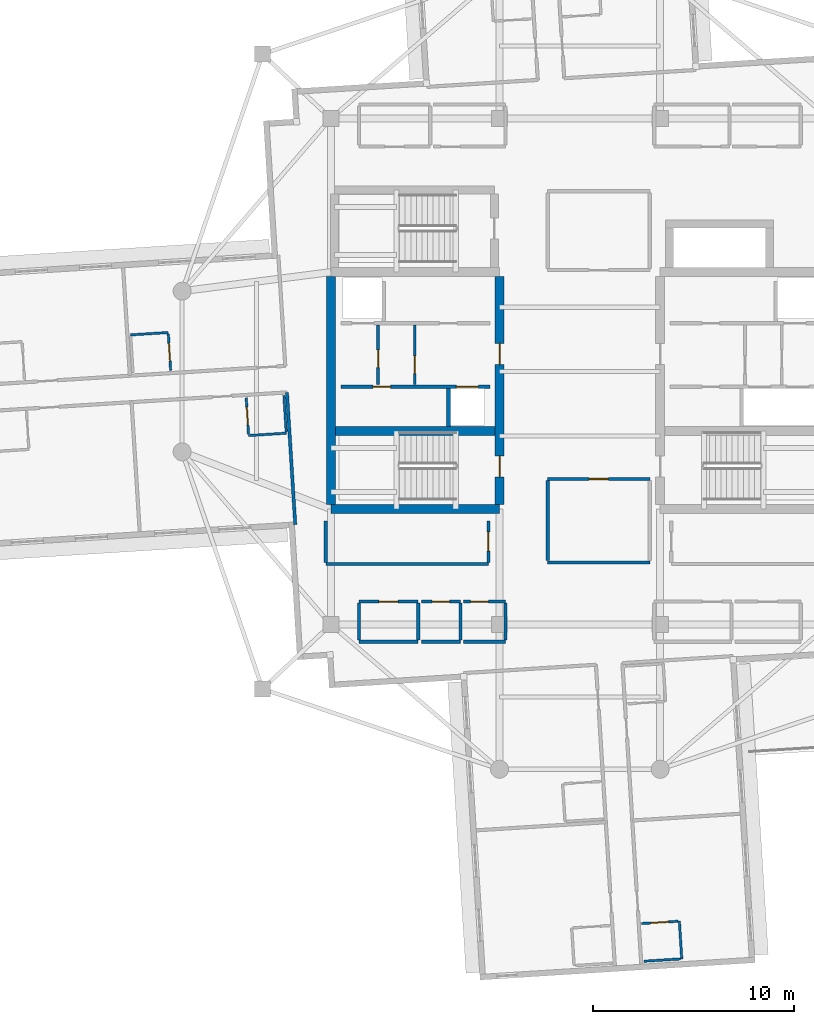
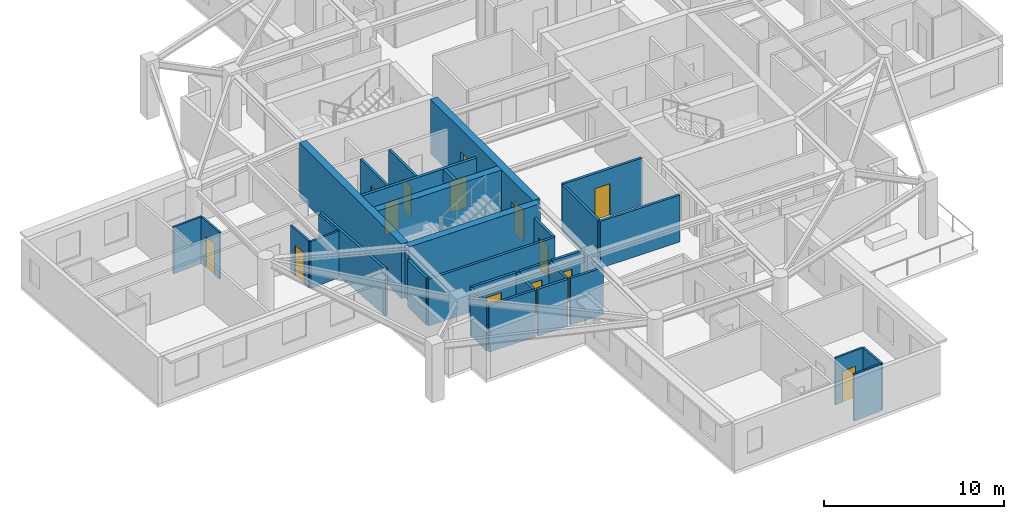
# One storey, part 4 of 13: 33 walls, 14 doors, 14 openings.
"""IFC4 building model written with IfcOpenShell, lengths in metres."""

from ifc_helpers import new_model, si_unit, direction, frame, frame_2d, origin, place, context, subcontext, project, spatial, rectangle, extrude, material, layer, layer_set, type_object, element, fill, save


model = new_model("IFC4")

# Units and contexts
model_context = context("Model", 3, precision=1e-05, world=origin(), true_north=direction((0.0, 1.0)))
body_context = subcontext(model_context, "Body", "Model", "MODEL_VIEW")
ifc_project = project(units=[si_unit("LENGTHUNIT", "METRE"), si_unit("AREAUNIT", "SQUARE_METRE"), si_unit("VOLUMEUNIT", "CUBIC_METRE"), si_unit("PLANEANGLEUNIT", "RADIAN"), si_unit("MASSUNIT", "GRAM", prefix="KILO")], contexts=[model_context])

# Site, building, storey
site_placement = place(None, origin())
site = spatial("IfcSite", under=ifc_project, at=site_placement, CompositionType="ELEMENT")
building_placement = place(site_placement, origin())
building = spatial("IfcBuilding", under=site, at=building_placement, Name="Qingluan Cross Belvedere", CompositionType="ELEMENT")
storey_placement = place(building_placement, frame((0.0, 0.0, 281.10009765625)))
storey = spatial("IfcBuildingStorey", under=building, at=storey_placement, Name="L70", CompositionType="ELEMENT", Elevation=281.10009765625)

# Walls
ifc_material_1 = material(Name="Concrete C50", Category="concrete")
ifc_layer_1 = layer(ifc_material_1, 0.449951171875, Name="CoreShearWall_450")
ifc_layer_set_1 = layer_set([ifc_layer_1], Name="Concrete C50")
wall_type_1 = type_object("IfcWallType", Name="CoreShearWall_450", PredefinedType="SHEAR", material=ifc_layer_set_1)
wall_1_placement = place(storey_placement, frame((-12.39990234375, -6.85009765625, 0.0), z_axis=(0.0, 0.0, 1.0), x_axis=(1.0, 0.0, 0.0)))
element("IfcWall", 1, at=wall_1_placement, inside=storey, type_object=wall_type_1, Name="Split core W shear wall L70-S", PredefinedType="SHEAR", context=body_context, shape_type="SweptSolid", body=[
    extrude(rectangle(XDim=8.39990234375, YDim=0.449951171875, at=frame_2d((4.199951171875, 0.0))), origin(), (0.0, 0.0, 1.0), 3.699951171875),
])
wall_2_placement = place(storey_placement, frame((-12.39990234375, -6.6201171875, 0.0), z_axis=(0.0, 0.0, 1.0), x_axis=(0.0, 1.0, 0.0)))
element("IfcWall", 2, at=wall_2_placement, inside=storey, type_object=wall_type_1, Name="Split core W shear wall L70-W", PredefinedType="SHEAR", context=body_context, shape_type="SweptSolid", body=[
    extrude(rectangle(XDim=11.340087890625, YDim=0.449951171875, at=frame_2d((5.669921875, 0.0))), origin(), (0.0, 0.0, 1.0), 3.699951171875),
])

# Wall, openings, doors
wall_3_placement = place(storey_placement, frame((-4.0, -6.6201171875, 0.0), z_axis=(0.0, 0.0, 1.0), x_axis=(0.0, 1.0, 0.0)))
wall_3 = element("IfcWall", 3, at=wall_3_placement, inside=storey, type_object=wall_type_1, Name="Split core W shear wall L70-E", PredefinedType="SHEAR", context=body_context, shape_type="SweptSolid", body=[
    extrude(rectangle(XDim=11.340087890625, YDim=0.449951171875, at=frame_2d((5.669921875, 0.0))), origin(), (0.0, 0.0, 1.0), 3.699951171875),
])
opening_1_placement = place(wall_3_placement, frame((1.3701171875, 0.0, 0.0)))
opening_1 = element("IfcOpeningElement", 4, at=opening_1_placement, cuts=wall_3, Name="Opening FD-B11", PredefinedType="OPENING", context=body_context, shape_type="SweptSolid", body=[
    extrude(rectangle(XDim=1.050048828125, YDim=2.14990234375, at=frame_2d((0.52490234375, 1.074951171875))), frame((0.0, 0.23486328125, 0.0), z_axis=(0.0, -1.0, 0.0), x_axis=(1.0, 0.0, 0.0)), (0.0, 0.0, 1.0), 0.469970703125),
])
opening_2_placement = place(wall_3_placement, frame((6.969970703125, 0.0, 0.0)))
opening_2 = element("IfcOpeningElement", 5, at=opening_2_placement, cuts=wall_3, Name="Opening FD-B11", PredefinedType="OPENING", context=body_context, shape_type="SweptSolid", body=[
    extrude(rectangle(XDim=1.050048828125, YDim=2.14990234375, at=frame_2d((0.52490234375, 1.074951171875))), frame((0.0, 0.23486328125, 0.0), z_axis=(0.0, -1.0, 0.0), x_axis=(1.0, 0.0, 0.0)), (0.0, 0.0, 1.0), 0.469970703125),
])
ifc_material_2 = material(Name="Steel Class B smoke-seal fire door", Category="steel")
door_type_1 = type_object("IfcDoorType", Name="StairLobbyFireDoor_FDB", OperationType="NOTDEFINED", PredefinedType="DOOR", material=ifc_material_2)
door_1_placement = place(opening_1_placement, origin())
door_1 = element("IfcDoor", 6, at=door_1_placement, inside=storey, type_object=door_type_1, Name="Smoke-proof stair ST1 fire door L70", OperationType="SINGLE_SWING_RIGHT", OverallHeight=2.14990234375, OverallWidth=1.050048828125, PredefinedType="DOOR", context=body_context, shape_type="SweptSolid", body=[
    extrude(rectangle(XDim=1.050048828125, YDim=2.14990234375, at=frame_2d((0.52490234375, 1.074951171875))), frame((0.0, 0.02490234375, 0.0), z_axis=(0.0, -1.0, 0.0), x_axis=(1.0, 0.0, 0.0)), (0.0, 0.0, 1.0), 0.050048828125),
])
fill(opening_1, door_1)
door_2_placement = place(opening_2_placement, origin())
door_2 = element("IfcDoor", 7, at=door_2_placement, inside=storey, type_object=door_type_1, Name="Firefighting lobby West fire door L70", OperationType="SINGLE_SWING_RIGHT", OverallHeight=2.14990234375, OverallWidth=1.050048828125, PredefinedType="DOOR", context=body_context, shape_type="SweptSolid", body=[
    extrude(rectangle(XDim=1.050048828125, YDim=2.14990234375, at=frame_2d((0.52490234375, 1.074951171875))), frame((0.0, 0.02490234375, 0.0), z_axis=(0.0, -1.0, 0.0), x_axis=(1.0, 0.0, 0.0)), (0.0, 0.0, 1.0), 0.050048828125),
])
fill(opening_2, door_2)

# Wall
wall_4_placement = place(storey_placement, frame((-12.169921875, -2.9599609375, 0.0), z_axis=(0.0, 0.0, 1.0), x_axis=(1.0, 0.0, 0.0)))
element("IfcWall", 8, at=wall_4_placement, inside=storey, type_object=wall_type_1, Name="Split core W shear wall L70-M", PredefinedType="SHEAR", context=body_context, shape_type="SweptSolid", body=[
    extrude(rectangle(XDim=7.93994140625, YDim=0.449951171875, at=frame_2d((3.969970703125, 0.0))), origin(), (0.0, 0.0, 1.0), 3.699951171875),
])

# Wall, opening, door
ifc_material_3 = material(Name="Gypsum plasterboard on steel stud acoustic partition", Category="steel")
ifc_layer_2 = layer(ifc_material_3, 0.159912109375, Name="CorridorPartition_160")
ifc_layer_set_2 = layer_set([ifc_layer_2], Name="Gypsum plasterboard on steel stud acoustic partition")
wall_type_2 = type_object("IfcWallType", Name="CorridorPartition_160", PredefinedType="PARTITIONING", material=ifc_layer_set_2)
wall_5_placement = place(storey_placement, frame((-10.050048828125, -0.652099609375, 0.0), z_axis=(0.0, 0.0, 1.0), x_axis=(0.0, 1.0, 0.0)))
wall_5 = element("IfcWall", 9, at=wall_5_placement, inside=storey, type_object=wall_type_2, Name="Partition L70:wv", PredefinedType="PARTITIONING", context=body_context, shape_type="SweptSolid", body=[
    extrude(rectangle(XDim=2.962158203125, YDim=0.139892578125, at=frame_2d((1.48095703125, 0.0))), origin(), (0.0, 0.0, 1.0), 3.169921875),
])
opening_3_placement = place(wall_5_placement, frame((0.85009765625, 0.0, 0.0)))
opening_3 = element("IfcOpeningElement", 10, at=opening_3_placement, cuts=wall_5, Name="Opening FD-B10", PredefinedType="OPENING", context=body_context, shape_type="SweptSolid", body=[
    extrude(rectangle(XDim=0.8798828125, YDim=2.10009765625, at=frame_2d((0.43994140625, 1.050048828125))), frame((0.0, 0.079833984375, 0.0), z_axis=(0.0, -1.0, 0.0), x_axis=(1.0, 0.0, 0.0)), (0.0, 0.0, 1.0), 0.159912109375),
])
ifc_material_4 = material(Name="Steel Class B service fire door", Category="steel")
door_type_2 = type_object("IfcDoorType", Name="RiserServiceFireDoor_FDB", OperationType="NOTDEFINED", PredefinedType="DOOR", material=ifc_material_4)
door_3_placement = place(opening_3_placement, origin())
door_3 = element("IfcDoor", 11, at=door_3_placement, inside=storey, type_object=door_type_2, Name="Service closet inner door L70", OperationType="SINGLE_SWING_LEFT", OverallHeight=2.10009765625, OverallWidth=0.8798828125, PredefinedType="DOOR", context=body_context, shape_type="SweptSolid", body=[
    extrude(rectangle(XDim=0.8798828125, YDim=2.10009765625, at=frame_2d((0.43994140625, 1.050048828125))), frame((0.0, 0.02490234375, 0.0), z_axis=(0.0, -1.0, 0.0), x_axis=(1.0, 0.0, 0.0)), (0.0, 0.0, 1.0), 0.050048828125),
])
fill(opening_3, door_3)

# Wall
wall_6_placement = place(storey_placement, frame((-11.0, -13.449951171875, 0.0), z_axis=(0.0, 0.0, 1.0), x_axis=(1.0, 0.0, 0.0)))
element("IfcWall", 12, at=wall_6_placement, inside=storey, type_object=wall_type_2, Name="Partition L70:q_sw_occ:S", PredefinedType="PARTITIONING", context=body_context, shape_type="SweptSolid", body=[
    extrude(rectangle(XDim=2.949951171875, YDim=0.159912109375, at=frame_2d((1.47509765625, 0.0))), origin(), (0.0, 0.0, 1.0), 3.169921875),
])

# Wall, opening, door
wall_7_placement = place(storey_placement, frame((-11.0, -11.449951171875, 0.0), z_axis=(0.0, 0.0, 1.0), x_axis=(1.0, 0.0, 0.0)))
wall_7 = element("IfcWall", 13, at=wall_7_placement, inside=storey, type_object=wall_type_2, Name="Partition L70:q_sw_occ:N", PredefinedType="PARTITIONING", context=body_context, shape_type="SweptSolid", body=[
    extrude(rectangle(XDim=2.949951171875, YDim=0.159912109375, at=frame_2d((1.47509765625, 0.0))), origin(), (0.0, 0.0, 1.0), 3.169921875),
])
opening_4_placement = place(wall_7_placement, frame((0.9951171875, 0.0, 0.0)))
opening_4 = element("IfcOpeningElement", 14, at=opening_4_placement, cuts=wall_7, Name="Opening GD-10", PredefinedType="OPENING", context=body_context, shape_type="SweptSolid", body=[
    extrude(rectangle(XDim=0.9599609375, YDim=2.14990234375, at=frame_2d((0.47998046875, 1.074951171875))), frame((0.0, 0.08984375, 0.0), z_axis=(0.0, -1.0, 0.0), x_axis=(1.0, 0.0, 0.0)), (0.0, 0.0, 1.0), 0.179931640625),
])
ifc_material_5 = material(Name="Timber oak fire-rated acoustic guestroom door", Category="wood")
door_type_3 = type_object("IfcDoorType", Name="GuestEntryDoor_FD60", OperationType="NOTDEFINED", PredefinedType="DOOR", material=ifc_material_5)
door_4_placement = place(opening_4_placement, origin())
door_4 = element("IfcDoor", 15, at=door_4_placement, inside=storey, type_object=door_type_3, Name="Astronomy study room L70 door", OperationType="SINGLE_SWING_RIGHT", OverallHeight=2.14990234375, OverallWidth=0.9599609375, PredefinedType="DOOR", context=body_context, shape_type="SweptSolid", body=[
    extrude(rectangle(XDim=0.9599609375, YDim=2.14990234375, at=frame_2d((0.47998046875, 1.074951171875))), frame((0.0, 0.02490234375, 0.0), z_axis=(0.0, -1.0, 0.0), x_axis=(1.0, 0.0, 0.0)), (0.0, 0.0, 1.0), 0.050048828125),
])
fill(opening_4, door_4)

# Walls
for number, where, z_axis, x_axis, name in (
    (16, (-11.0, -13.364990234375, 0.0), (0.0, 0.0, 1.0), (0.0, 1.0, 0.0), "Partition L70:q_sw_occ:W"),
    (17, (-8.050048828125, -13.364990234375, 0.0), (0.0, 0.0, 1.0), (0.0, 1.0, 0.0), "Partition L70:q_sw_occ:E"),
):
    element("IfcWall", number, at=place(storey_placement, frame(where, z_axis=z_axis, x_axis=x_axis)), inside=storey, type_object=wall_type_2, Name=name, PredefinedType="PARTITIONING", context=body_context, shape_type="SweptSolid", body=[
        extrude(rectangle(XDim=1.830078125, YDim=0.159912109375, at=frame_2d((0.9150390625, 0.0))), origin(), (0.0, 0.0, 1.0), 3.169921875),
    ])
wall_8_placement = place(storey_placement, frame((-7.889892578125, -13.449951171875, 0.0), z_axis=(0.0, 0.0, 1.0), x_axis=(1.0, 0.0, 0.0)))
element("IfcWall", 18, at=wall_8_placement, inside=storey, type_object=wall_type_2, Name="Partition L70:hk_linen:S", PredefinedType="PARTITIONING", context=body_context, shape_type="SweptSolid", body=[
    extrude(rectangle(XDim=1.93994140625, YDim=0.159912109375, at=frame_2d((0.969970703125, 0.0))), origin(), (0.0, 0.0, 1.0), 3.169921875),
])

# Wall, opening, door
wall_9_placement = place(storey_placement, frame((-7.889892578125, -11.449951171875, 0.0), z_axis=(0.0, 0.0, 1.0), x_axis=(1.0, 0.0, 0.0)))
wall_9 = element("IfcWall", 19, at=wall_9_placement, inside=storey, type_object=wall_type_2, Name="Partition L70:hk_linen:N", PredefinedType="PARTITIONING", context=body_context, shape_type="SweptSolid", body=[
    extrude(rectangle(XDim=1.93994140625, YDim=0.159912109375, at=frame_2d((0.969970703125, 0.0))), origin(), (0.0, 0.0, 1.0), 3.169921875),
])
opening_5_placement = place(wall_9_placement, frame((0.530029296875, 0.0, 0.0)))
opening_5 = element("IfcOpeningElement", 20, at=opening_5_placement, cuts=wall_9, Name="Opening FD-B10", PredefinedType="OPENING", context=body_context, shape_type="SweptSolid", body=[
    extrude(rectangle(XDim=0.8798828125, YDim=2.10009765625, at=frame_2d((0.43994140625, 1.050048828125))), frame((0.0, 0.08984375, 0.0), z_axis=(0.0, -1.0, 0.0), x_axis=(1.0, 0.0, 0.0)), (0.0, 0.0, 1.0), 0.179931640625),
])
door_5_placement = place(opening_5_placement, origin())
door_5 = element("IfcDoor", 21, at=door_5_placement, inside=storey, type_object=door_type_2, Name="Housekeeping and linen store L70 door", OperationType="SINGLE_SWING_LEFT", OverallHeight=2.10009765625, OverallWidth=0.8798828125, PredefinedType="DOOR", context=body_context, shape_type="SweptSolid", body=[
    extrude(rectangle(XDim=0.8798828125, YDim=2.10009765625, at=frame_2d((0.43994140625, 1.050048828125))), frame((0.0, 0.02490234375, 0.0), z_axis=(0.0, -1.0, 0.0), x_axis=(1.0, 0.0, 0.0)), (0.0, 0.0, 1.0), 0.050048828125),
])
fill(opening_5, door_5)

# Walls
wall_10_placement = place(storey_placement, frame((-5.949951171875, -13.364990234375, 0.0), z_axis=(0.0, 0.0, 1.0), x_axis=(0.0, 1.0, 0.0)))
element("IfcWall", 22, at=wall_10_placement, inside=storey, type_object=wall_type_2, Name="Partition L70:hk_linen:E", PredefinedType="PARTITIONING", context=body_context, shape_type="SweptSolid", body=[
    extrude(rectangle(XDim=1.830078125, YDim=0.159912109375, at=frame_2d((0.9150390625, 0.0))), origin(), (0.0, 0.0, 1.0), 3.169921875),
])
wall_11_placement = place(storey_placement, frame((-5.7900390625, -13.449951171875, 0.0), z_axis=(0.0, 0.0, 1.0), x_axis=(1.0, 0.0, 0.0)))
element("IfcWall", 23, at=wall_11_placement, inside=storey, type_object=wall_type_2, Name="Partition L70:floor_acc_wc:S", PredefinedType="PARTITIONING", context=body_context, shape_type="SweptSolid", body=[
    extrude(rectangle(XDim=2.090087890625, YDim=0.159912109375, at=frame_2d((1.044921875, 0.0))), origin(), (0.0, 0.0, 1.0), 3.169921875),
])

# Wall, opening, door
wall_12_placement = place(storey_placement, frame((-5.7900390625, -11.449951171875, 0.0), z_axis=(0.0, 0.0, 1.0), x_axis=(1.0, 0.0, 0.0)))
wall_12 = element("IfcWall", 24, at=wall_12_placement, inside=storey, type_object=wall_type_2, Name="Partition L70:floor_acc_wc:N", PredefinedType="PARTITIONING", context=body_context, shape_type="SweptSolid", body=[
    extrude(rectangle(XDim=2.090087890625, YDim=0.159912109375, at=frame_2d((1.044921875, 0.0))), origin(), (0.0, 0.0, 1.0), 3.169921875),
])
opening_6_placement = place(wall_12_placement, frame((0.35009765625, 0.0, 0.0)))
opening_6 = element("IfcOpeningElement", 25, at=opening_6_placement, cuts=wall_12, Name="Opening BD-08", PredefinedType="OPENING", context=body_context, shape_type="SweptSolid", body=[
    extrude(rectangle(XDim=0.8798828125, YDim=2.14990234375, at=frame_2d((0.43994140625, 1.074951171875))), frame((0.0, 0.08984375, 0.0), z_axis=(0.0, -1.0, 0.0), x_axis=(1.0, 0.0, 0.0)), (0.0, 0.0, 1.0), 0.179931640625),
])
ifc_material_6 = material(Name="Moisture-sealed timber accessible WC door", Category="wood")
door_type_4 = type_object("IfcDoorType", Name="AccessibleWCDoor_880", OperationType="NOTDEFINED", PredefinedType="DOOR", material=ifc_material_6)
door_6_placement = place(opening_6_placement, origin())
door_6 = element("IfcDoor", 26, at=door_6_placement, inside=storey, type_object=door_type_4, Name="Accessible guest washroom L70 door", OperationType="SINGLE_SWING_RIGHT", OverallHeight=2.14990234375, OverallWidth=0.8798828125, PredefinedType="DOOR", context=body_context, shape_type="SweptSolid", body=[
    extrude(rectangle(XDim=0.8798828125, YDim=2.14990234375, at=frame_2d((0.43994140625, 1.074951171875))), frame((0.0, 0.02490234375, 0.0), z_axis=(0.0, -1.0, 0.0), x_axis=(1.0, 0.0, 0.0)), (0.0, 0.0, 1.0), 0.050048828125),
])
fill(opening_6, door_6)

# Walls
wall_13_placement = place(storey_placement, frame((-3.699951171875, -13.364990234375, 0.0), z_axis=(0.0, 0.0, 1.0), x_axis=(0.0, 1.0, 0.0)))
element("IfcWall", 27, at=wall_13_placement, inside=storey, type_object=wall_type_2, Name="Partition L70:floor_acc_wc:E", PredefinedType="PARTITIONING", context=body_context, shape_type="SweptSolid", body=[
    extrude(rectangle(XDim=1.830078125, YDim=0.159912109375, at=frame_2d((0.9150390625, 0.0))), origin(), (0.0, 0.0, 1.0), 3.169921875),
])
wall_14_placement = place(storey_placement, frame((-1.60009765625, -9.5, 0.0), z_axis=(0.0, 0.0, 1.0), x_axis=(1.0, 0.0, 0.0)))
element("IfcWall", 28, at=wall_14_placement, inside=storey, type_object=wall_type_2, Name="Partition L70:sky_south_alcove:S", PredefinedType="PARTITIONING", context=body_context, shape_type="SweptSolid", body=[
    extrude(rectangle(XDim=5.080078125, YDim=0.159912109375, at=frame_2d((2.5400390625, 0.0))), origin(), (0.0, 0.0, 1.0), 3.169921875),
])

# Wall, opening, door
wall_15_placement = place(storey_placement, frame((-1.60009765625, -5.35009765625, 0.0), z_axis=(0.0, 0.0, 1.0), x_axis=(1.0, 0.0, 0.0)))
wall_15 = element("IfcWall", 29, at=wall_15_placement, inside=storey, type_object=wall_type_2, Name="Partition L70:sky_south_alcove:N", PredefinedType="PARTITIONING", context=body_context, shape_type="SweptSolid", body=[
    extrude(rectangle(XDim=5.080078125, YDim=0.159912109375, at=frame_2d((2.5400390625, 0.0))), origin(), (0.0, 0.0, 1.0), 3.169921875),
])
opening_7_placement = place(wall_15_placement, frame((2.06005859375, 0.0, 0.0)))
opening_7 = element("IfcOpeningElement", 30, at=opening_7_placement, cuts=wall_15, Name="Opening GD-10", PredefinedType="OPENING", context=body_context, shape_type="SweptSolid", body=[
    extrude(rectangle(XDim=0.9599609375, YDim=2.14990234375, at=frame_2d((0.47998046875, 1.074951171875))), frame((0.0, 0.08984375, 0.0), z_axis=(0.0, -1.0, 0.0), x_axis=(1.0, 0.0, 0.0)), (0.0, 0.0, 1.0), 0.179931640625),
])
door_7_placement = place(opening_7_placement, origin())
door_7 = element("IfcDoor", 31, at=door_7_placement, inside=storey, type_object=door_type_3, Name="South horizon reading alcove L70 door", OperationType="SINGLE_SWING_RIGHT", OverallHeight=2.14990234375, OverallWidth=0.9599609375, PredefinedType="DOOR", context=body_context, shape_type="SweptSolid", body=[
    extrude(rectangle(XDim=0.9599609375, YDim=2.14990234375, at=frame_2d((0.47998046875, 1.074951171875))), frame((0.0, 0.02490234375, 0.0), z_axis=(0.0, -1.0, 0.0), x_axis=(1.0, 0.0, 0.0)), (0.0, 0.0, 1.0), 0.050048828125),
])
fill(opening_7, door_7)

# Walls
wall_16_placement = place(storey_placement, frame((-1.60009765625, -9.4150390625, 0.0), z_axis=(0.0, 0.0, 1.0), x_axis=(0.0, 1.0, 0.0)))
element("IfcWall", 32, at=wall_16_placement, inside=storey, type_object=wall_type_2, Name="Partition L70:sky_south_alcove:W", PredefinedType="PARTITIONING", context=body_context, shape_type="SweptSolid", body=[
    extrude(rectangle(XDim=3.97998046875, YDim=0.159912109375, at=frame_2d((1.989990234375, 0.0))), origin(), (0.0, 0.0, 1.0), 3.169921875),
])
wall_17_placement = place(storey_placement, frame((-12.64990234375, -9.580078125, 0.0), z_axis=(0.0, 0.0, 1.0), x_axis=(1.0, 0.0, 0.0)))
element("IfcWall", 33, at=wall_17_placement, inside=storey, type_object=wall_type_2, Name="Partition L70:rec_st4_w:S", PredefinedType="PARTITIONING", context=body_context, shape_type="SweptSolid", body=[
    extrude(rectangle(XDim=8.099853515625, YDim=0.159912109375, at=frame_2d((4.0498046875, 0.0))), origin(), (0.0, 0.0, 1.0), 3.169921875),
])
wall_18_placement = place(storey_placement, frame((-12.64990234375, -9.4951171875, 0.0), z_axis=(0.0, 0.0, 1.0), x_axis=(0.0, 1.0, 0.0)))
element("IfcWall", 34, at=wall_18_placement, inside=storey, type_object=wall_type_2, Name="Partition L70:rec_st4_w:W", PredefinedType="PARTITIONING", context=body_context, shape_type="SweptSolid", body=[
    extrude(rectangle(XDim=2.06005859375, YDim=0.159912109375, at=frame_2d((1.030029296875, 0.0))), origin(), (0.0, 0.0, 1.0), 3.169921875),
])

# Wall, opening, door
wall_19_placement = place(storey_placement, frame((-4.550048828125, -9.4951171875, 0.0), z_axis=(0.0, 0.0, 1.0), x_axis=(0.0, 1.0, 0.0)))
wall_19 = element("IfcWall", 35, at=wall_19_placement, inside=storey, type_object=wall_type_2, Name="Partition L70:rec_st4_w:E", PredefinedType="PARTITIONING", context=body_context, shape_type="SweptSolid", body=[
    extrude(rectangle(XDim=2.06005859375, YDim=0.159912109375, at=frame_2d((1.030029296875, 0.0))), origin(), (0.0, 0.0, 1.0), 3.169921875),
])
opening_8_placement = place(wall_19_placement, frame((0.550048828125, 0.0, 0.0)))
opening_8 = element("IfcOpeningElement", 36, at=opening_8_placement, cuts=wall_19, Name="Opening GD-10", PredefinedType="OPENING", context=body_context, shape_type="SweptSolid", body=[
    extrude(rectangle(XDim=0.9599609375, YDim=2.14990234375, at=frame_2d((0.47998046875, 1.074951171875))), frame((0.0, 0.08984375, 0.0), z_axis=(0.0, -1.0, 0.0), x_axis=(1.0, 0.0, 0.0)), (0.0, 0.0, 1.0), 0.179931640625),
])
door_8_placement = place(opening_8_placement, origin())
door_8 = element("IfcDoor", 37, at=door_8_placement, inside=storey, type_object=door_type_3, Name="Southwest club reading room L70 door", OperationType="SINGLE_SWING_RIGHT", OverallHeight=2.14990234375, OverallWidth=0.9599609375, PredefinedType="DOOR", context=body_context, shape_type="SweptSolid", body=[
    extrude(rectangle(XDim=0.9599609375, YDim=2.14990234375, at=frame_2d((0.47998046875, 1.074951171875))), frame((0.0, 0.02490234375, 0.0), z_axis=(0.0, -1.0, 0.0), x_axis=(1.0, 0.0, 0.0)), (0.0, 0.0, 1.0), 0.050048828125),
])
fill(opening_8, door_8)

# Wall
wall_20_placement = place(storey_placement, frame((-14.58349609375, -1.037841796875, 0.0), z_axis=(0.0, 0.0, 1.0), x_axis=(0.062774391396, -0.998027742994, 0.0)))
element("IfcWall", 38, at=wall_20_placement, inside=storey, type_object=wall_type_2, Name="Partition L70:W:s1", PredefinedType="PARTITIONING", context=body_context, shape_type="SweptSolid", body=[
    extrude(rectangle(XDim=6.599853515625, YDim=0.159912109375, at=frame_2d((3.2998046875, 0.0))), origin(), (0.0, 0.0, 1.0), 3.169921875),
])

# Wall, opening, door
ifc_material_7 = material(Name="Moisture-resistant gypsum board lining")
ifc_layer_3 = layer(ifc_material_7, 0.1201171875, Name="EnsuiteWetPartition_120")
ifc_layer_set_3 = layer_set([ifc_layer_3], Name="Moisture-resistant gypsum board lining")
wall_type_3 = type_object("IfcWallType", Name="EnsuiteWetPartition_120", PredefinedType="PARTITIONING", material=ifc_layer_set_3)
wall_21_placement = place(storey_placement, frame((-20.3740234375, 0.060791015625, 0.0), z_axis=(0.0, 0.0, 1.0), x_axis=(-0.062779145668, 0.998027443946, 0.0)))
wall_21 = element("IfcWall", 39, at=wall_21_placement, inside=storey, type_object=wall_type_3, Name="Partition L70:W:bs0_0", PredefinedType="PARTITIONING", context=body_context, shape_type="SweptSolid", body=[
    extrude(rectangle(XDim=1.820068359375, YDim=0.1201171875, at=frame_2d((0.91015625, 0.0))), origin(), (0.0, 0.0, 1.0), 3.169921875),
])
opening_9_placement = place(wall_21_placement, frame((0.469970703125, 0.0, 0.0)))
opening_9 = element("IfcOpeningElement", 40, at=opening_9_placement, cuts=wall_21, Name="Opening BD-09", PredefinedType="OPENING", context=body_context, shape_type="SweptSolid", body=[
    extrude(rectangle(XDim=0.8798828125, YDim=2.10009765625, at=frame_2d((0.43994140625, 1.050048828125))), frame((0.0, 0.070068359375, 0.0), z_axis=(0.0, -1.0, 0.0), x_axis=(1.0, 0.0, 0.0)), (0.0, 0.0, 1.0), 0.14013671875),
])
ifc_material_8 = material(Name="Moisture-sealed timber en-suite door", Category="wood")
door_type_5 = type_object("IfcDoorType", Name="BathroomDoor_880", OperationType="NOTDEFINED", PredefinedType="DOOR", material=ifc_material_8)
door_9_placement = place(opening_9_placement, origin())
door_9 = element("IfcDoor", 41, at=door_9_placement, inside=storey, type_object=door_type_5, Name="Bathroom door 7005", OperationType="SINGLE_SWING_RIGHT", OverallHeight=2.10009765625, OverallWidth=0.8798828125, PredefinedType="DOOR", context=body_context, shape_type="SweptSolid", body=[
    extrude(rectangle(XDim=0.8798828125, YDim=2.10009765625, at=frame_2d((0.43994140625, 1.050048828125))), frame((0.0, 0.02490234375, 0.0), z_axis=(0.0, -1.0, 0.0), x_axis=(1.0, 0.0, 0.0)), (0.0, 0.0, 1.0), 0.050048828125),
])
fill(opening_9, door_9)

# Wall
wall_22_placement = place(storey_placement, frame((-20.492431640625, 1.942138671875, 0.0), z_axis=(0.0, 0.0, 1.0), x_axis=(-0.998030789148, -0.062725942896, 0.0)))
element("IfcWall", 42, at=wall_22_placement, inside=storey, type_object=wall_type_3, Name="Partition L70:W:bn0_0", PredefinedType="PARTITIONING", context=body_context, shape_type="SweptSolid", body=[
    extrude(rectangle(XDim=1.8798828125, YDim=0.1201171875, at=frame_2d((0.93994140625, 0.0))), origin(), (0.0, 0.0, 1.0), 3.169921875),
])

# Wall, opening, door
wall_23_placement = place(storey_placement, frame((-16.49658203125, -3.1220703125, 0.0), z_axis=(0.0, 0.0, 1.0), x_axis=(-0.062779145668, 0.998027443946, 0.0)))
wall_23 = element("IfcWall", 43, at=wall_23_placement, inside=storey, type_object=wall_type_3, Name="Partition L70:W:bs1_0", PredefinedType="PARTITIONING", context=body_context, shape_type="SweptSolid", body=[
    extrude(rectangle(XDim=1.820068359375, YDim=0.1201171875, at=frame_2d((0.91015625, 0.0))), origin(), (0.0, 0.0, 1.0), 3.169921875),
])
opening_10_placement = place(wall_23_placement, frame((0.469970703125, 0.0, 0.0)))
opening_10 = element("IfcOpeningElement", 44, at=opening_10_placement, cuts=wall_23, Name="Opening BD-09", PredefinedType="OPENING", context=body_context, shape_type="SweptSolid", body=[
    extrude(rectangle(XDim=0.8798828125, YDim=2.10009765625, at=frame_2d((0.43994140625, 1.050048828125))), frame((0.0, 0.070068359375, 0.0), z_axis=(0.0, -1.0, 0.0), x_axis=(1.0, 0.0, 0.0)), (0.0, 0.0, 1.0), 0.14013671875),
])
door_10_placement = place(opening_10_placement, origin())
door_10 = element("IfcDoor", 45, at=door_10_placement, inside=storey, type_object=door_type_5, Name="Bathroom door 7007", OperationType="SINGLE_SWING_RIGHT", OverallHeight=2.10009765625, OverallWidth=0.8798828125, PredefinedType="DOOR", context=body_context, shape_type="SweptSolid", body=[
    extrude(rectangle(XDim=0.8798828125, YDim=2.10009765625, at=frame_2d((0.43994140625, 1.050048828125))), frame((0.0, 0.02490234375, 0.0), z_axis=(0.0, -1.0, 0.0), x_axis=(1.0, 0.0, 0.0)), (0.0, 0.0, 1.0), 0.050048828125),
])
fill(opening_10, door_10)

# Walls
wall_24_placement = place(storey_placement, frame((-14.6201171875, -3.00390625, 0.0), z_axis=(0.0, 0.0, 1.0), x_axis=(-0.062912758763, 0.998019030272, 0.0)))
element("IfcWall", 46, at=wall_24_placement, inside=storey, type_object=wall_type_3, Name="Partition L70:W:bw1_0", PredefinedType="PARTITIONING", context=body_context, shape_type="SweptSolid", body=[
    extrude(rectangle(XDim=1.820068359375, YDim=0.1201171875, at=frame_2d((0.91015625, 0.0))), origin(), (0.0, 0.0, 1.0), 3.169921875),
])
wall_25_placement = place(storey_placement, frame((-14.6162109375, -3.06884765625, 0.0), z_axis=(0.0, 0.0, 1.0), x_axis=(-0.998022650819, -0.062855297722, 0.0)))
element("IfcWall", 47, at=wall_25_placement, inside=storey, type_object=wall_type_3, Name="Partition L70:W:bc1_0", PredefinedType="PARTITIONING", context=body_context, shape_type="SweptSolid", body=[
    extrude(rectangle(XDim=1.8798828125, YDim=0.1201171875, at=frame_2d((0.93994140625, 0.0))), origin(), (0.0, 0.0, 1.0), 3.169921875),
])

# Wall, opening, door
wall_26_placement = place(storey_placement, frame((3.071533203125, -27.4814453125, 0.0), z_axis=(0.0, 0.0, 1.0), x_axis=(0.998027443946, 0.062779145668, 0.0)))
wall_26 = element("IfcWall", 48, at=wall_26_placement, inside=storey, type_object=wall_type_3, Name="Partition L70:S:bs0_1", PredefinedType="PARTITIONING", context=body_context, shape_type="SweptSolid", body=[
    extrude(rectangle(XDim=1.820068359375, YDim=0.1201171875, at=frame_2d((0.91015625, 0.0))), origin(), (0.0, 0.0, 1.0), 3.169921875),
])
opening_11_placement = place(wall_26_placement, frame((0.469970703125, 0.0, 0.0)))
opening_11 = element("IfcOpeningElement", 49, at=opening_11_placement, cuts=wall_26, Name="Opening BD-09", PredefinedType="OPENING", context=body_context, shape_type="SweptSolid", body=[
    extrude(rectangle(XDim=0.8798828125, YDim=2.10009765625, at=frame_2d((0.43994140625, 1.050048828125))), frame((0.0, 0.070068359375, 0.0), z_axis=(0.0, -1.0, 0.0), x_axis=(1.0, 0.0, 0.0)), (0.0, 0.0, 1.0), 0.14013671875),
])
door_11_placement = place(opening_11_placement, origin())
door_11 = element("IfcDoor", 50, at=door_11_placement, inside=storey, type_object=door_type_5, Name="Bathroom door 7016", OperationType="SINGLE_SWING_RIGHT", OverallHeight=2.10009765625, OverallWidth=0.8798828125, PredefinedType="DOOR", context=body_context, shape_type="SweptSolid", body=[
    extrude(rectangle(XDim=0.8798828125, YDim=2.10009765625, at=frame_2d((0.43994140625, 1.050048828125))), frame((0.0, 0.02490234375, 0.0), z_axis=(0.0, -1.0, 0.0), x_axis=(1.0, 0.0, 0.0)), (0.0, 0.0, 1.0), 0.050048828125),
])
fill(opening_11, door_11)

# Walls
wall_27_placement = place(storey_placement, frame((3.189697265625, -29.357666015625, 0.0), z_axis=(0.0, 0.0, 1.0), x_axis=(0.998027443946, 0.062779145668, 0.0)))
element("IfcWall", 51, at=wall_27_placement, inside=storey, type_object=wall_type_3, Name="Partition L70:S:bw0_1", PredefinedType="PARTITIONING", context=body_context, shape_type="SweptSolid", body=[
    extrude(rectangle(XDim=1.820068359375, YDim=0.1201171875, at=frame_2d((0.91015625, 0.0))), origin(), (0.0, 0.0, 1.0), 3.169921875),
])
wall_28_placement = place(storey_placement, frame((4.952880859375, -27.363037109375, 0.0), z_axis=(0.0, 0.0, 1.0), x_axis=(0.062855297722, -0.998022650819, 0.0)))
element("IfcWall", 52, at=wall_28_placement, inside=storey, type_object=wall_type_3, Name="Partition L70:S:bn0_1", PredefinedType="PARTITIONING", context=body_context, shape_type="SweptSolid", body=[
    extrude(rectangle(XDim=1.8798828125, YDim=0.1201171875, at=frame_2d((0.93994140625, 0.0))), origin(), (0.0, 0.0, 1.0), 3.169921875),
])

# Wall, openings, doors
ifc_material_9 = material(Name="Concrete C40", Category="concrete")
ifc_layer_4 = layer(ifc_material_9, 0.219970703125, Name="ShaftEnclosureWall_250")
ifc_layer_set_4 = layer_set([ifc_layer_4], Name="Concrete C40")
wall_type_4 = type_object("IfcWallType", Name="ShaftEnclosureWall_250", PredefinedType="SOLIDWALL", material=ifc_layer_set_4)
wall_29_placement = place(storey_placement, frame((-11.89990234375, -0.75, 0.0), z_axis=(0.0, 0.0, 1.0), x_axis=(1.0, 0.0, 0.0)))
wall_29 = element("IfcWall", 53, at=wall_29_placement, inside=storey, type_object=wall_type_4, Name="Core-W mid hoistway wall L70", PredefinedType="SOLIDWALL", context=body_context, shape_type="SweptSolid", body=[
    extrude(rectangle(XDim=7.419921875, YDim=0.179931640625, at=frame_2d((3.7099609375, 0.0))), origin(), (0.0, 0.0, 1.0), 3.169921875),
])
opening_12_placement = place(wall_29_placement, frame((5.75, 0.0, 0.0)))
opening_12 = element("IfcOpeningElement", 54, at=opening_12_placement, cuts=wall_29, Name="Opening LD-11", PredefinedType="OPENING", context=body_context, shape_type="SweptSolid", body=[
    extrude(rectangle(XDim=1.10009765625, YDim=2.14990234375, at=frame_2d((0.550048828125, 1.074951171875))), frame((0.0, 0.099853515625, 0.0), z_axis=(0.0, -1.0, 0.0), x_axis=(1.0, 0.0, 0.0)), (0.0, 0.0, 1.0), 0.199951171875),
])
opening_13_placement = place(wall_29_placement, frame((1.60009765625, 0.0, 0.0)))
opening_13 = element("IfcOpeningElement", 55, at=opening_13_placement, cuts=wall_29, Name="Opening FD-B10", PredefinedType="OPENING", context=body_context, shape_type="SweptSolid", body=[
    extrude(rectangle(XDim=0.8798828125, YDim=2.10009765625, at=frame_2d((0.43994140625, 1.050048828125))), frame((0.0, 0.099853515625, 0.0), z_axis=(0.0, -1.0, 0.0), x_axis=(1.0, 0.0, 0.0)), (0.0, 0.0, 1.0), 0.199951171875),
])
ifc_material_10 = material(Name="Brushed stainless steel centre-opening lift landing door", Category="steel")
door_type_6 = type_object("IfcDoorType", Name="LiftLandingSlidingDoor_1100", OperationType="DOUBLE_DOOR_SLIDING", PredefinedType="DOOR", material=ifc_material_10)
door_12_placement = place(opening_12_placement, origin())
door_12 = element("IfcDoor", 56, at=door_12_placement, inside=storey, type_object=door_type_6, Name="Lift landing sliding door LP8 L70", OperationType="DOUBLE_DOOR_SLIDING", OverallHeight=2.14990234375, OverallWidth=1.10009765625, PredefinedType="DOOR", context=body_context, shape_type="SweptSolid", body=[
    extrude(rectangle(XDim=1.10009765625, YDim=2.14990234375, at=frame_2d((0.550048828125, 1.074951171875))), frame((0.0, 0.02490234375, 0.0), z_axis=(0.0, -1.0, 0.0), x_axis=(1.0, 0.0, 0.0)), (0.0, 0.0, 1.0), 0.050048828125),
])
fill(opening_12, door_12)
door_13_placement = place(opening_13_placement, origin())
door_13 = element("IfcDoor", 57, at=door_13_placement, inside=storey, type_object=door_type_2, Name="Upper-zone electrical room door L70", OperationType="SINGLE_SWING_LEFT", OverallHeight=2.10009765625, OverallWidth=0.8798828125, PredefinedType="DOOR", context=body_context, shape_type="SweptSolid", body=[
    extrude(rectangle(XDim=0.8798828125, YDim=2.10009765625, at=frame_2d((0.43994140625, 1.050048828125))), frame((0.0, 0.02490234375, 0.0), z_axis=(0.0, -1.0, 0.0), x_axis=(1.0, 0.0, 0.0)), (0.0, 0.0, 1.0), 0.050048828125),
])
fill(opening_13, door_13)

# Wall
wall_30_placement = place(storey_placement, frame((-6.5400390625, -2.72998046875, 0.0), z_axis=(0.0, 0.0, 1.0), x_axis=(0.0, 1.0, 0.0)))
element("IfcWall", 58, at=wall_30_placement, inside=storey, type_object=wall_type_4, Name="Hoistway enclosure divider LP8W L70", PredefinedType="SOLIDWALL", context=body_context, shape_type="SweptSolid", body=[
    extrude(rectangle(XDim=1.889892578125, YDim=0.179931640625, at=frame_2d((0.94482421875, 0.0))), origin(), (0.0, 0.0, 1.0), 3.169921875),
])

# Wall, opening, door
wall_31_placement = place(storey_placement, frame((-8.219970703125, -0.64990234375, 0.0), z_axis=(0.0, 0.0, 1.0), x_axis=(0.0, 1.0, 0.0)))
wall_31 = element("IfcWall", 59, at=wall_31_placement, inside=storey, type_object=wall_type_4, Name="Core-W service corridor wall L70", PredefinedType="SOLIDWALL", context=body_context, shape_type="SweptSolid", body=[
    extrude(rectangle(XDim=2.9599609375, YDim=0.139892578125, at=frame_2d((1.47998046875, 0.0))), origin(), (0.0, 0.0, 1.0), 3.169921875),
])
opening_14_placement = place(wall_31_placement, frame((0.550048828125, 0.0, 0.0)))
opening_14 = element("IfcOpeningElement", 60, at=opening_14_placement, cuts=wall_31, Name="Opening FD-B10", PredefinedType="OPENING", context=body_context, shape_type="SweptSolid", body=[
    extrude(rectangle(XDim=0.8798828125, YDim=2.10009765625, at=frame_2d((0.43994140625, 1.050048828125))), frame((0.0, 0.079833984375, 0.0), z_axis=(0.0, -1.0, 0.0), x_axis=(1.0, 0.0, 0.0)), (0.0, 0.0, 1.0), 0.159912109375),
])
door_14_placement = place(opening_14_placement, origin())
door_14 = element("IfcDoor", 61, at=door_14_placement, inside=storey, type_object=door_type_2, Name="Core-W service room door L70", OperationType="SINGLE_SWING_LEFT", OverallHeight=2.10009765625, OverallWidth=0.8798828125, PredefinedType="DOOR", context=body_context, shape_type="SweptSolid", body=[
    extrude(rectangle(XDim=0.8798828125, YDim=2.10009765625, at=frame_2d((0.43994140625, 1.050048828125))), frame((0.0, 0.02490234375, 0.0), z_axis=(0.0, -1.0, 0.0), x_axis=(1.0, 0.0, 0.0)), (0.0, 0.0, 1.0), 0.050048828125),
])
fill(opening_14, door_14)

save(model, "model.ifc")
